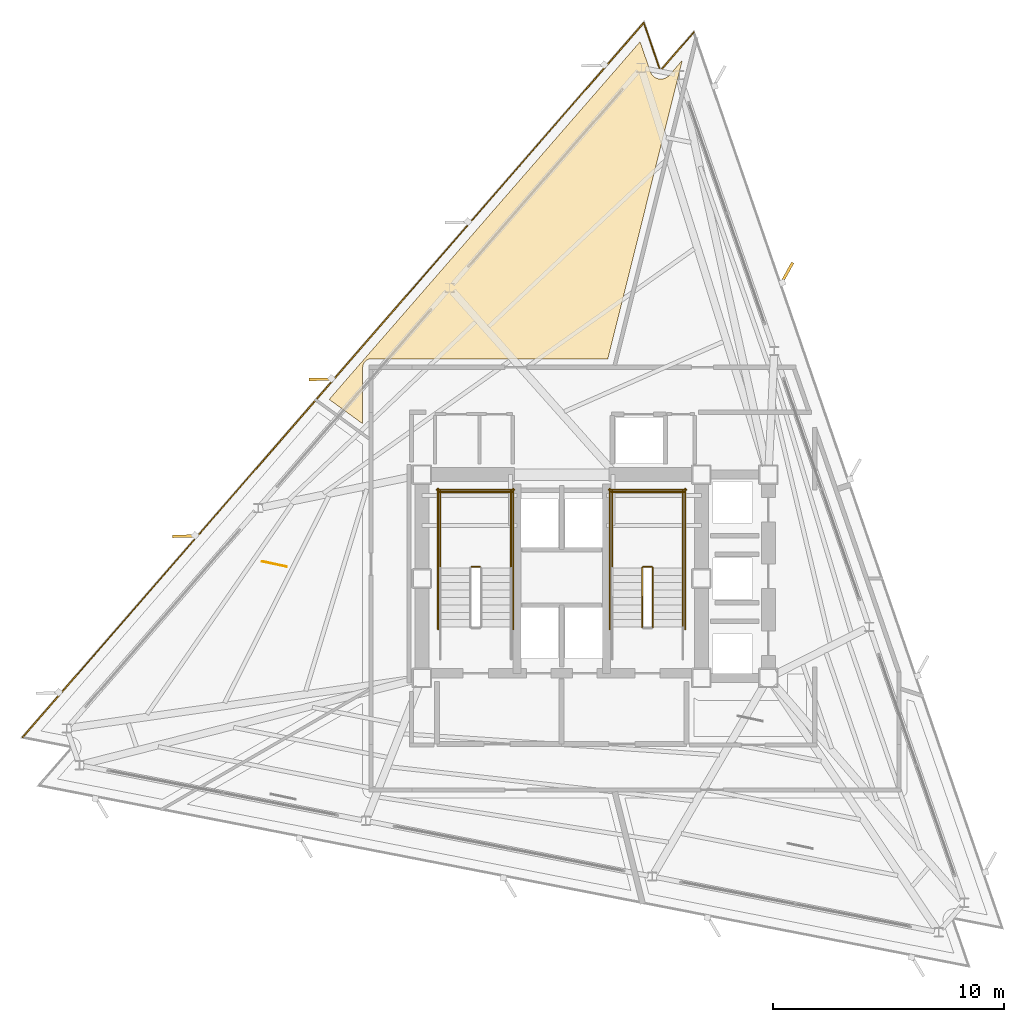
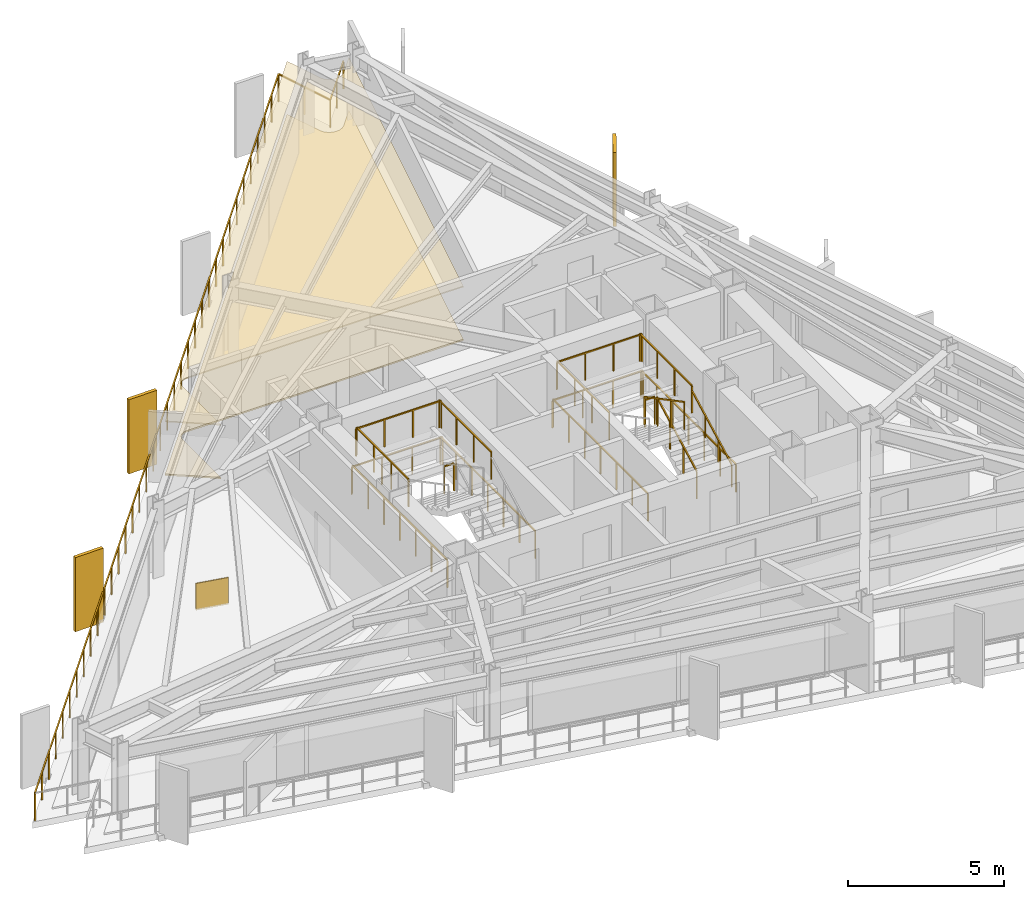
# One storey, part 12 of 13: 18 railings, 3 coverings, 3 shading devices.
"""IFC4 building model written with IfcOpenShell, lengths in metres."""

import ifcopenshell
import ifcopenshell.guid

model = None  # the IFC model being written
_history = None  # IfcOwnerHistory: only IFC2X3 demands one
_inside = {}  # id of a spatial element -> (the spatial element, [elements in it])
_under = {}  # id of a project, library or spatial element -> (it, [spatial elements below it])
_declared = {}  # id of a project -> (the project, [libraries it declares])
_typed = {}  # id of a type object -> (the type object, [elements of that type])
_made_of = {}  # id of a material, layer set ... -> (it, [elements and type objects made of it])


def new_model(schema):
    """Start an empty IFC model of exactly this schema.

    Asked for "IFC4X3", IfcOpenShell would pick the latest addendum, in which some entities
    have other attributes; the version numbers below select the first issue.
    IFC2X3 requires an IfcOwnerHistory on every rooted entity: one is made here for all.
    """
    global model, _history
    if schema == "IFC4X3":
        model = ifcopenshell.file(schema_version=(4, 3, 0, 0))
    else:
        model = ifcopenshell.file(schema=schema)
    _inside.clear()
    _under.clear()
    _declared.clear()
    _typed.clear()
    _made_of.clear()
    _history = None
    if model.schema == "IFC2X3":
        org = make("IfcOrganization", Name="unknown")
        user = make(
            "IfcPersonAndOrganization",
            ThePerson=make("IfcPerson", FamilyName="unknown"),
            TheOrganization=org,
        )
        app = make(
            "IfcApplication",
            ApplicationDeveloper=org,
            Version="unknown",
            ApplicationFullName="unknown",
            ApplicationIdentifier="unknown",
        )
        _history = make(
            "IfcOwnerHistory",
            OwningUser=user,
            OwningApplication=app,
            ChangeAction="ADDED",
            CreationDate=0,
        )
    return model


def make(cls, **values):
    """One entity of the class cls with the attributes given. An attribute that is None is left unset."""
    return model.create_entity(
        cls, **{name: value for name, value in values.items() if value is not None}
    )


def rooted(cls, **values):
    """An entity with a GlobalId (a new one), such as an element, a storey or a relation."""
    return make(cls, GlobalId=ifcopenshell.guid.new(), OwnerHistory=_history, **values)


def si_unit(unit_type, name, prefix=None):
    """IfcSIUnit, for example si_unit("LENGTHUNIT", "METRE", prefix="MILLI")."""
    return make("IfcSIUnit", UnitType=unit_type, Prefix=prefix, Name=name)


def assignment(units):
    """IfcUnitAssignment: the units of a project."""
    return None if units is None else make("IfcUnitAssignment", Units=units)


def point(xyz):
    """IfcCartesianPoint."""
    return None if xyz is None else make("IfcCartesianPoint", Coordinates=xyz)


def direction(xyz):
    """IfcDirection."""
    return None if xyz is None else make("IfcDirection", DirectionRatios=xyz)


def frame(location, z_axis=None, x_axis=None):
    """IfcAxis2Placement3D, a coordinate frame: its origin and axes. An axis left out is left unset."""
    return make(
        "IfcAxis2Placement3D",
        Location=point(location),
        Axis=direction(z_axis),
        RefDirection=direction(x_axis),
    )


def frame_2d(location, x_axis=None):
    """IfcAxis2Placement2D, a coordinate frame in the plane: its origin and x axis."""
    return make(
        "IfcAxis2Placement2D", Location=point(location), RefDirection=direction(x_axis)
    )


def origin():
    """The frame at (0, 0, 0) with its axes left unset."""
    return frame((0.0, 0.0, 0.0))


def origin_2d():
    """The frame at (0, 0) in the plane with its x axis left unset."""
    return frame_2d((0.0, 0.0))


def place(relative_to, where):
    """IfcLocalPlacement: puts the frame where relative to a parent placement (None: the world)."""
    return make(
        "IfcLocalPlacement", PlacementRelTo=relative_to, RelativePlacement=where
    )


def context(
    kind, dimensions, precision=None, world=None, true_north=None, identifier=None
):
    """IfcGeometricRepresentationContext, for example the 3D "Model" context."""
    return make(
        "IfcGeometricRepresentationContext",
        ContextIdentifier=identifier,
        ContextType=kind,
        CoordinateSpaceDimension=dimensions,
        Precision=precision,
        WorldCoordinateSystem=world,
        TrueNorth=true_north,
    )


def subcontext(parent, identifier, kind, view, scale=None):
    """IfcGeometricRepresentationSubContext, for example "Body" below "Model"."""
    return make(
        "IfcGeometricRepresentationSubContext",
        ContextIdentifier=identifier,
        ContextType=kind,
        ParentContext=parent,
        TargetScale=scale,
        TargetView=view,
    )


def project(units=None, contexts=None):
    """IfcProject with its units and contexts."""
    return rooted(
        "IfcProject",
        Name="project",
        RepresentationContexts=contexts,
        UnitsInContext=assignment(units),
    )


def spatial(cls, under=None, at=None, **own):
    """A site, building, storey or space (cls), placed at a placement, below another one or the project."""
    s = rooted(cls, ObjectPlacement=at, **own)
    if under is not None:
        _under.setdefault(under.id(), (under, []))[1].append(s)
    return s


def polyline(points):
    """IfcPolyline through the points."""
    return make("IfcPolyline", Points=[point(p) for p in points])


def profile(cls, at=None, kind="AREA", **sizes):
    """A parametric profile (cls). Its sizes go by their IFC names, for example OverallWidth=200.0."""
    return make(cls, ProfileType=kind, Position=at, **sizes)


def rectangle(**sizes):
    """IfcRectangleProfileDef."""
    return profile("IfcRectangleProfileDef", **sizes)


def outline(outer, holes=None, kind="AREA"):
    """IfcArbitraryClosedProfileDef: a profile drawn as a closed curve; with holes, ...WithVoids."""
    if holes is None:
        return make("IfcArbitraryClosedProfileDef", ProfileType=kind, OuterCurve=outer)
    return make(
        "IfcArbitraryProfileDefWithVoids",
        ProfileType=kind,
        OuterCurve=outer,
        InnerCurves=holes,
    )


def extrude(swept, where, along, depth):
    """IfcExtrudedAreaSolid: the profile swept, set in the frame where, extruded along a direction by depth."""
    return make(
        "IfcExtrudedAreaSolid",
        SweptArea=swept,
        Position=where,
        ExtrudedDirection=direction(along),
        Depth=depth,
    )


def shape(context_of_items, identifier, shape_type, items):
    """IfcShapeRepresentation: the items that make up one representation, for example the "Body"."""
    return make(
        "IfcShapeRepresentation",
        ContextOfItems=context_of_items,
        RepresentationIdentifier=identifier,
        RepresentationType=shape_type,
        Items=items,
    )


def material(Name=None, Category=None):
    """IfcMaterial."""
    return make("IfcMaterial", Name=Name, Category=Category)


def layer(
    of_material, thickness, ventilated=None, Name=None, Category=None, Priority=None
):
    """IfcMaterialLayer: one layer of a wall or slab, of a material (None: an air gap)."""
    return make(
        "IfcMaterialLayer",
        Material=of_material,
        LayerThickness=thickness,
        IsVentilated=ventilated,
        Name=Name,
        Category=Category,
        Priority=Priority,
    )


def layer_set(layers, Name=None):
    """IfcMaterialLayerSet."""
    return make("IfcMaterialLayerSet", MaterialLayers=layers, LayerSetName=Name)


def made_of(thing, what):
    """Note that an element or type object is made of a material, layer set ...; save() writes the relation."""
    if what is not None:
        _made_of.setdefault(what.id(), (what, []))[1].append(thing)
    return thing


def type_object(cls, material=None, **own):
    """A type object (cls), such as IfcWallType, which elements share."""
    return made_of(rooted(cls, **own), material)


def element(
    cls,
    number,
    at=None,
    inside=None,
    cuts=None,
    type_object=None,
    material=None,
    context=None,
    identifier="Body",
    shape_type=None,
    held_by="IfcProductDefinitionShape",
    body=None,
    shapes=None,
    **own,
):
    """One element of the class cls, such as IfcWall. Its Tag is "e" and its number.

    at: its placement. inside: the storey or other place that contains it. cuts: it is an
    opening in that element (IfcRelVoidsElement). A single representation is given by context,
    identifier, shape_type and body (its items); several are given by shapes. held_by: the class
    of the entity that holds the representations. save() writes the other relations.
    """
    e = rooted(cls, Tag="e%d" % number, ObjectPlacement=at, **own)
    if body is not None:
        shapes = [shape(context, identifier, shape_type, body)]
    if shapes is not None:
        e.Representation = make(held_by, Representations=shapes)
    if inside is not None:
        _inside.setdefault(inside.id(), (inside, []))[1].append(e)
    if cuts is not None:
        rooted(
            "IfcRelVoidsElement", RelatingBuildingElement=cuts, RelatedOpeningElement=e
        )
    if type_object is not None:
        _typed.setdefault(type_object.id(), (type_object, []))[1].append(e)
    return made_of(e, material)


def aggregate(whole, parts):
    """IfcRelAggregates: a whole, such as a stair, and the parts it consists of."""
    return rooted("IfcRelAggregates", RelatingObject=whole, RelatedObjects=parts)


def save(model, path):
    """Write the relations noted so far, then the file.

    IfcRelAggregates (storeys below a building ...), IfcRelContainedInSpatialStructure (elements
    in a storey), IfcRelDefinesByType, IfcRelAssociatesMaterial and IfcRelDeclares: one each for
    every whole, place, type object, material and project.
    """
    for whole, parts in _under.values():
        aggregate(whole, parts)
    for where, things in _inside.values():
        rooted(
            "IfcRelContainedInSpatialStructure",
            RelatedElements=things,
            RelatingStructure=where,
        )
    for kind, things in _typed.values():
        rooted("IfcRelDefinesByType", RelatedObjects=things, RelatingType=kind)
    for what, things in _made_of.values():
        rooted("IfcRelAssociatesMaterial", RelatedObjects=things, RelatingMaterial=what)
    for by, libraries in _declared.values():
        rooted("IfcRelDeclares", RelatingContext=by, RelatedDefinitions=libraries)
    model.write(path)


model = new_model("IFC4")

# Units and contexts
model_context = context("Model", 3, precision=1e-05, world=origin(), true_north=direction((0.0, 1.0)))
body_context = subcontext(model_context, "Body", "Model", "MODEL_VIEW")
ifc_project = project(units=[si_unit("LENGTHUNIT", "METRE"), si_unit("AREAUNIT", "SQUARE_METRE"), si_unit("VOLUMEUNIT", "CUBIC_METRE"), si_unit("PLANEANGLEUNIT", "RADIAN"), si_unit("MASSUNIT", "GRAM", prefix="KILO")], contexts=[model_context])

# Site, building, storey
site_placement = place(None, origin())
site = spatial("IfcSite", under=ifc_project, at=site_placement, CompositionType="ELEMENT")
building_placement = place(site_placement, origin())
building = spatial("IfcBuilding", under=site, at=building_placement, Name="Rocaltana Carrier Exchange", CompositionType="ELEMENT")
storey_placement = place(building_placement, frame((0.0, 0.0, 153.280029296875)))
storey = spatial("IfcBuildingStorey", under=building, at=storey_placement, Name="L48", CompositionType="ELEMENT", Elevation=153.280029296875)

# Coverings
ifc_material_1 = material(Name="Calcium Sulphate & Aluminium Pedestal", Category="aluminium")
ifc_layer_1 = layer(ifc_material_1, 0.06005859375)
ifc_layer_set_1 = layer_set([ifc_layer_1], Name="Calcium Sulphate & Aluminium Pedestal")
covering_type_1 = type_object("IfcCoveringType", Name="Anti-Static Raised Exchange Access Floor 60", PredefinedType="FLOORING", material=ifc_layer_set_1)
covering_1_placement = place(storey_placement, origin())
element("IfcCovering", 1, at=covering_1_placement, inside=storey, type_object=covering_type_1, Name="L48 Network Operations Office Finish Floor", PredefinedType="FLOORING", context=body_context, shape_type="SweptSolid", body=[
    extrude(outline(polyline([(3.39697265625, 23.24072265625), (3.842529296875, 21.94677734375), (3.847412109375, 21.93359375), (3.85498046875, 21.9150390625), (3.866455078125, 21.889892578125), (3.875732421875, 21.8720703125), (3.889892578125, 21.847900390625), (3.90087890625, 21.831298828125), (3.917236328125, 21.808837890625), (3.9296875, 21.793212890625), (3.948486328125, 21.7724609375), (3.96240234375, 21.75830078125), (3.983154296875, 21.739501953125), (3.99853515625, 21.726806640625), (4.020751953125, 21.710205078125), (4.037353515625, 21.698974609375), (4.061279296875, 21.684814453125), (4.078857421875, 21.67529296875), (4.104248046875, 21.663330078125), (4.12255859375, 21.65576171875), (4.14892578125, 21.646484375), (4.16796875, 21.640625), (4.195068359375, 21.634033203125), (4.214599609375, 21.630126953125), (4.2421875, 21.626220703125), (4.26220703125, 21.62451171875), (4.2900390625, 21.623291015625), (4.31005859375, 21.623291015625), (4.337890625, 21.625), (4.357666015625, 21.627197265625), (4.38525390625, 21.63134765625), (4.40478515625, 21.635498046875), (4.431640625, 21.642578125), (4.45068359375, 21.648681640625), (4.476806640625, 21.658447265625), (4.4951171875, 21.666259765625), (4.520263671875, 21.6787109375), (4.53759765625, 21.688232421875), (4.561279296875, 21.702880859375), (4.577880859375, 21.71435546875), (4.599853515625, 21.731201171875), (4.614990234375, 21.744384765625), (4.635498046875, 21.763427734375), (4.649169921875, 21.77783203125), (4.65869140625, 21.7880859375), (5.223388671875, 22.4375), (2.0, 9.510009765625), (-8.25, 9.510009765625), (-8.263671875, 9.509765625), (-8.271484375, 9.50927734375), (-8.298828125, 9.506591796875), (-8.306640625, 9.50537109375), (-8.33349609375, 9.5), (-8.34130859375, 9.498291015625), (-8.36767578125, 9.490234375), (-8.375, 9.487548828125), (-8.400390625, 9.47705078125), (-8.407470703125, 9.4736328125), (-8.431640625, 9.460693359375), (-8.4384765625, 9.456787109375), (-8.461181640625, 9.44140625), (-8.467529296875, 9.436767578125), (-8.48876953125, 9.419189453125), (-8.49462890625, 9.4140625), (-8.513916015625, 9.39453125), (-8.519287109375, 9.388916015625), (-8.53662109375, 9.367431640625), (-8.54150390625, 9.361083984375), (-8.556640625, 9.33837890625), (-8.560791015625, 9.331787109375), (-8.57373046875, 9.307373046875), (-8.576904296875, 9.30029296875), (-8.58740234375, 9.27490234375), (-8.590087890625, 9.267578125), (-8.59814453125, 9.2412109375), (-8.60009765625, 9.233642578125), (-8.60546875, 9.206787109375), (-8.606689453125, 9.198974609375), (-8.609375, 9.171630859375), (-8.609619140625, 9.163818359375), (-8.610107421875, 9.14990234375), (-8.610107421875, 6.700439453125), (-10.0634765625, 7.75634765625), (3.39697265625, 23.24072265625)])), origin(), (0.0, 0.0, 1.0), 0.06005859375),
])
ifc_material_2 = material(Name="Mineral Fibre & Powder-Coated Aluminium", Category="aluminium")
ifc_layer_2 = layer(ifc_material_2, 0.044921875)
ifc_layer_set_2 = layer_set([ifc_layer_2], Name="Mineral Fibre & Powder-Coated Aluminium")
covering_type_2 = type_object("IfcCoveringType", Name="Micro-Perforated Acoustic Ceiling 45", PredefinedType="CEILING", material=ifc_layer_set_2)
covering_2_placement = place(storey_placement, frame((0.0, 0.0, 2.093017578125)))
element("IfcCovering", 2, at=covering_2_placement, inside=storey, type_object=covering_type_2, Name="L48 Network Operations Office Acoustic Ceiling", PredefinedType="CEILING", context=body_context, shape_type="SweptSolid", body=[
    extrude(outline(polyline([(3.39697265625, 23.24072265625), (3.842529296875, 21.94677734375), (3.847412109375, 21.93359375), (3.85498046875, 21.9150390625), (3.866455078125, 21.889892578125), (3.875732421875, 21.8720703125), (3.889892578125, 21.847900390625), (3.90087890625, 21.831298828125), (3.917236328125, 21.808837890625), (3.9296875, 21.793212890625), (3.948486328125, 21.7724609375), (3.96240234375, 21.75830078125), (3.983154296875, 21.739501953125), (3.99853515625, 21.726806640625), (4.020751953125, 21.710205078125), (4.037353515625, 21.698974609375), (4.061279296875, 21.684814453125), (4.078857421875, 21.67529296875), (4.104248046875, 21.663330078125), (4.12255859375, 21.65576171875), (4.14892578125, 21.646484375), (4.16796875, 21.640625), (4.195068359375, 21.634033203125), (4.214599609375, 21.630126953125), (4.2421875, 21.626220703125), (4.26220703125, 21.62451171875), (4.2900390625, 21.623291015625), (4.31005859375, 21.623291015625), (4.337890625, 21.625), (4.357666015625, 21.627197265625), (4.38525390625, 21.63134765625), (4.40478515625, 21.635498046875), (4.431640625, 21.642578125), (4.45068359375, 21.648681640625), (4.476806640625, 21.658447265625), (4.4951171875, 21.666259765625), (4.520263671875, 21.6787109375), (4.53759765625, 21.688232421875), (4.561279296875, 21.702880859375), (4.577880859375, 21.71435546875), (4.599853515625, 21.731201171875), (4.614990234375, 21.744384765625), (4.635498046875, 21.763427734375), (4.649169921875, 21.77783203125), (4.65869140625, 21.7880859375), (5.223388671875, 22.4375), (2.0, 9.510009765625), (-8.25, 9.510009765625), (-8.263671875, 9.509765625), (-8.271484375, 9.50927734375), (-8.298828125, 9.506591796875), (-8.306640625, 9.50537109375), (-8.33349609375, 9.5), (-8.34130859375, 9.498291015625), (-8.36767578125, 9.490234375), (-8.375, 9.487548828125), (-8.400390625, 9.47705078125), (-8.407470703125, 9.4736328125), (-8.431640625, 9.460693359375), (-8.4384765625, 9.456787109375), (-8.461181640625, 9.44140625), (-8.467529296875, 9.436767578125), (-8.48876953125, 9.419189453125), (-8.49462890625, 9.4140625), (-8.513916015625, 9.39453125), (-8.519287109375, 9.388916015625), (-8.53662109375, 9.367431640625), (-8.54150390625, 9.361083984375), (-8.556640625, 9.33837890625), (-8.560791015625, 9.331787109375), (-8.57373046875, 9.307373046875), (-8.576904296875, 9.30029296875), (-8.58740234375, 9.27490234375), (-8.590087890625, 9.267578125), (-8.59814453125, 9.2412109375), (-8.60009765625, 9.233642578125), (-8.60546875, 9.206787109375), (-8.606689453125, 9.198974609375), (-8.609375, 9.171630859375), (-8.609619140625, 9.163818359375), (-8.610107421875, 9.14990234375), (-8.610107421875, 6.700439453125), (-10.0634765625, 7.75634765625), (3.39697265625, 23.24072265625)])), origin(), (0.0, 0.0, 1.0), 0.044921875),
])

# Railings
ifc_material_3 = material(Name="Brushed Architectural Stainless Tube", Category="steel")
ifc_layer_3 = layer(ifc_material_3, 0.048095703125)
ifc_layer_set_3 = layer_set([ifc_layer_3], Name="Brushed Architectural Stainless Tube")
railing_type_1 = type_object("IfcRailingType", Name="Stair Wall Handrail 920", PredefinedType="HANDRAIL", material=ifc_layer_set_3)
railing_1_placement = place(storey_placement, frame((5.25, -2.10009765625, 0.1689453125)))
element("IfcRailing", 3, at=railing_1_placement, inside=storey, type_object=railing_type_1, Name="L48 ST-2 stair handrail 1", PredefinedType="HANDRAIL", context=body_context, shape_type="SweptSolid", body=[
    extrude(rectangle(XDim=0.048095703125, YDim=0.048095703125, at=origin_2d()), frame((0.0, 0.0, 0.8759765625), z_axis=(0.0, 0.884394423565, 0.466740295633), x_axis=(-1.0, 0.0, 0.0)), (0.0, 0.0, 1.0), 2.894775390625),
    extrude(rectangle(XDim=0.0419921875, YDim=0.0419921875, at=origin_2d()), origin(), (0.0, 0.0, 1.0), 0.851806640625),
    extrude(rectangle(XDim=0.0419921875, YDim=0.0419921875, at=origin_2d()), frame((0.0, 0.853271484375, 0.450439453125)), (0.0, 0.0, 1.0), 0.851806640625),
    extrude(rectangle(XDim=0.0419921875, YDim=0.0419921875, at=origin_2d()), frame((0.0, 1.706787109375, 0.900634765625)), (0.0, 0.0, 1.0), 0.851806640625),
    extrude(rectangle(XDim=0.0419921875, YDim=0.0419921875, at=origin_2d()), frame((0.0, 2.56005859375, 1.35107421875)), (0.0, 0.0, 1.0), 0.851806640625),
])
ifc_material_4 = material(Name="Powder-Coated Aluminium 6063-T6", Category="aluminium")
ifc_layer_4 = layer(ifc_material_4, 0.048095703125)
ifc_layer_set_4 = layer_set([ifc_layer_4], Name="Powder-Coated Aluminium 6063-T6")
railing_type_2 = type_object("IfcRailingType", Name="Stair Well Guardrail 1100", PredefinedType="GUARDRAIL", material=ifc_layer_set_4)
railing_2_placement = place(storey_placement, frame((-3.5400390625, 0.510009765625, 1.52001953125)))
element("IfcRailing", 4, at=railing_2_placement, inside=storey, type_object=railing_type_2, Name="L48 ST-1 stair guard 2", PredefinedType="GUARDRAIL", context=body_context, shape_type="SweptSolid", body=[
    extrude(rectangle(XDim=0.048095703125, YDim=0.048095703125, at=origin_2d()), frame((0.0, 0.0, 1.076171875), z_axis=(-1.0, 0.0, 0.0), x_axis=(0.0, -1.0, 0.0)), (0.0, 0.0, 1.0), 0.35986328125),
    extrude(rectangle(XDim=0.0419921875, YDim=0.0419921875, at=origin_2d()), origin(), (0.0, 0.0, 1.0), 1.052001953125),
    extrude(rectangle(XDim=0.0419921875, YDim=0.0419921875, at=origin_2d()), frame((-0.35986328125, 0.0, 0.0)), (0.0, 0.0, 1.0), 1.052001953125),
])
for number, where, name in (
    (5, (-2.18994140625, 0.4599609375, 1.52001953125), "L48 ST-1 stair guard 3"),
    (6, (-5.25, 0.4599609375, 1.52001953125), "L48 ST-1 stair guard 4"),
):
    element("IfcRailing", number, at=place(storey_placement, frame(where)), inside=storey, type_object=railing_type_2, Name=name, PredefinedType="GUARDRAIL", context=body_context, shape_type="SweptSolid", body=[
        extrude(rectangle(XDim=0.048095703125, YDim=0.048095703125, at=origin_2d()), frame((0.0, 0.0, 1.076171875), z_axis=(0.0, 1.0, 0.0), x_axis=(-1.0, 0.0, 0.0)), (0.0, 0.0, 1.0), 3.340087890625),
        extrude(rectangle(XDim=0.0419921875, YDim=0.0419921875, at=origin_2d()), origin(), (0.0, 0.0, 1.0), 1.052001953125),
        extrude(rectangle(XDim=0.0419921875, YDim=0.0419921875, at=origin_2d()), frame((0.0, 1.11328125, 0.0)), (0.0, 0.0, 1.0), 1.052001953125),
        extrude(rectangle(XDim=0.0419921875, YDim=0.0419921875, at=origin_2d()), frame((0.0, 2.226806640625, 0.0)), (0.0, 0.0, 1.0), 1.052001953125),
        extrude(rectangle(XDim=0.0419921875, YDim=0.0419921875, at=origin_2d()), frame((0.0, 3.340087890625, 0.0)), (0.0, 0.0, 1.0), 1.052001953125),
    ])
railing_3_placement = place(storey_placement, frame((-2.139892578125, 3.75, 1.52001953125)))
element("IfcRailing", 7, at=railing_3_placement, inside=storey, type_object=railing_type_2, Name="L48 ST-1 stair guard 5", PredefinedType="GUARDRAIL", context=body_context, shape_type="SweptSolid", body=[
    extrude(rectangle(XDim=0.048095703125, YDim=0.048095703125, at=origin_2d()), frame((0.0, 0.0, 1.076171875), z_axis=(-1.0, 0.0, 0.0), x_axis=(0.0, -1.0, 0.0)), (0.0, 0.0, 1.0), 3.16015625),
    extrude(rectangle(XDim=0.0419921875, YDim=0.0419921875, at=origin_2d()), origin(), (0.0, 0.0, 1.0), 1.052001953125),
    extrude(rectangle(XDim=0.0419921875, YDim=0.0419921875, at=origin_2d()), frame((-1.053466796875, 0.0, 0.0)), (0.0, 0.0, 1.0), 1.052001953125),
    extrude(rectangle(XDim=0.0419921875, YDim=0.0419921875, at=origin_2d()), frame((-2.106689453125, 0.0, 0.0)), (0.0, 0.0, 1.0), 1.052001953125),
    extrude(rectangle(XDim=0.0419921875, YDim=0.0419921875, at=origin_2d()), frame((-3.16015625, 0.0, 0.0)), (0.0, 0.0, 1.0), 1.052001953125),
])
for number, where, name in (
    (8, (-2.090087890625, -2.199951171875, 0.0), "L48 ST-1 stair guard 10"),
    (9, (-5.35009765625, -2.199951171875, 0.0), "L48 ST-1 stair guard 11"),
):
    element("IfcRailing", number, at=place(storey_placement, frame(where)), inside=storey, type_object=railing_type_2, Name=name, PredefinedType="GUARDRAIL", context=body_context, shape_type="SweptSolid", body=[
        extrude(rectangle(XDim=0.048095703125, YDim=0.048095703125, at=origin_2d()), frame((0.0, 0.0, 1.076171875), z_axis=(0.0, 1.0, 0.0), x_axis=(-1.0, 0.0, 0.0)), (0.0, 0.0, 1.0), 6.099853515625),
        extrude(rectangle(XDim=0.0419921875, YDim=0.0419921875, at=origin_2d()), origin(), (0.0, 0.0, 1.0), 1.052001953125),
        extrude(rectangle(XDim=0.0419921875, YDim=0.0419921875, at=origin_2d()), frame((0.0, 1.0166015625, 0.0)), (0.0, 0.0, 1.0), 1.052001953125),
        extrude(rectangle(XDim=0.0419921875, YDim=0.0419921875, at=origin_2d()), frame((0.0, 2.033203125, 0.0)), (0.0, 0.0, 1.0), 1.052001953125),
        extrude(rectangle(XDim=0.0419921875, YDim=0.0419921875, at=origin_2d()), frame((0.0, 3.0498046875, 0.0)), (0.0, 0.0, 1.0), 1.052001953125),
        extrude(rectangle(XDim=0.0419921875, YDim=0.0419921875, at=origin_2d()), frame((0.0, 4.066650390625, 0.0)), (0.0, 0.0, 1.0), 1.052001953125),
        extrude(rectangle(XDim=0.0419921875, YDim=0.0419921875, at=origin_2d()), frame((0.0, 5.083251953125, 0.0)), (0.0, 0.0, 1.0), 1.052001953125),
        extrude(rectangle(XDim=0.0419921875, YDim=0.0419921875, at=origin_2d()), frame((0.0, 6.099853515625, 0.0)), (0.0, 0.0, 1.0), 1.052001953125),
    ])
railing_4_placement = place(storey_placement, frame((-2.0400390625, 3.85009765625, 0.0)))
element("IfcRailing", 10, at=railing_4_placement, inside=storey, type_object=railing_type_2, Name="L48 ST-1 stair guard 12", PredefinedType="GUARDRAIL", context=body_context, shape_type="SweptSolid", body=[
    extrude(rectangle(XDim=0.048095703125, YDim=0.048095703125, at=origin_2d()), frame((0.0, 0.0, 1.076171875), z_axis=(-1.0, 0.0, 0.0), x_axis=(0.0, -1.0, 0.0)), (0.0, 0.0, 1.0), 3.35986328125),
    extrude(rectangle(XDim=0.0419921875, YDim=0.0419921875, at=origin_2d()), origin(), (0.0, 0.0, 1.0), 1.052001953125),
    extrude(rectangle(XDim=0.0419921875, YDim=0.0419921875, at=origin_2d()), frame((-1.119873046875, 0.0, 0.0)), (0.0, 0.0, 1.0), 1.052001953125),
    extrude(rectangle(XDim=0.0419921875, YDim=0.0419921875, at=origin_2d()), frame((-2.239990234375, 0.0, 0.0)), (0.0, 0.0, 1.0), 1.052001953125),
    extrude(rectangle(XDim=0.0419921875, YDim=0.0419921875, at=origin_2d()), frame((-3.35986328125, 0.0, 0.0)), (0.0, 0.0, 1.0), 1.052001953125),
])
railing_5_placement = place(storey_placement, frame((3.949951171875, -2.10009765625, 0.1689453125)))
element("IfcRailing", 11, at=railing_5_placement, inside=storey, type_object=railing_type_2, Name="L48 ST-2 stair guard 1", PredefinedType="GUARDRAIL", context=body_context, shape_type="SweptSolid", body=[
    extrude(rectangle(XDim=0.048095703125, YDim=0.048095703125, at=origin_2d()), frame((0.0, 0.0, 1.076171875), z_axis=(0.0, 0.884394423565, 0.466740295633), x_axis=(-1.0, 0.0, 0.0)), (0.0, 0.0, 1.0), 2.894775390625),
    extrude(rectangle(XDim=0.0419921875, YDim=0.0419921875, at=origin_2d()), origin(), (0.0, 0.0, 1.0), 1.052001953125),
    extrude(rectangle(XDim=0.0419921875, YDim=0.0419921875, at=origin_2d()), frame((0.0, 0.853271484375, 0.450439453125)), (0.0, 0.0, 1.0), 1.052001953125),
    extrude(rectangle(XDim=0.0419921875, YDim=0.0419921875, at=origin_2d()), frame((0.0, 1.706787109375, 0.900634765625)), (0.0, 0.0, 1.0), 1.052001953125),
    extrude(rectangle(XDim=0.0419921875, YDim=0.0419921875, at=origin_2d()), frame((0.0, 2.56005859375, 1.35107421875)), (0.0, 0.0, 1.0), 1.052001953125),
])
railing_6_placement = place(storey_placement, frame((3.89990234375, 0.510009765625, 1.52001953125)))
element("IfcRailing", 12, at=railing_6_placement, inside=storey, type_object=railing_type_2, Name="L48 ST-2 stair guard 2", PredefinedType="GUARDRAIL", context=body_context, shape_type="SweptSolid", body=[
    extrude(rectangle(XDim=0.048095703125, YDim=0.048095703125, at=origin_2d()), frame((0.0, 0.0, 1.076171875), z_axis=(-1.0, 0.0, 0.0), x_axis=(0.0, -1.0, 0.0)), (0.0, 0.0, 1.0), 0.35986328125),
    extrude(rectangle(XDim=0.0419921875, YDim=0.0419921875, at=origin_2d()), origin(), (0.0, 0.0, 1.0), 1.052001953125),
    extrude(rectangle(XDim=0.0419921875, YDim=0.0419921875, at=origin_2d()), frame((-0.35986328125, 0.0, 0.0)), (0.0, 0.0, 1.0), 1.052001953125),
])
for number, where, name in (
    (13, (5.25, 0.4599609375, 1.52001953125), "L48 ST-2 stair guard 3"),
    (14, (2.18994140625, 0.4599609375, 1.52001953125), "L48 ST-2 stair guard 4"),
):
    element("IfcRailing", number, at=place(storey_placement, frame(where)), inside=storey, type_object=railing_type_2, Name=name, PredefinedType="GUARDRAIL", context=body_context, shape_type="SweptSolid", body=[
        extrude(rectangle(XDim=0.048095703125, YDim=0.048095703125, at=origin_2d()), frame((0.0, 0.0, 1.076171875), z_axis=(0.0, 1.0, 0.0), x_axis=(-1.0, 0.0, 0.0)), (0.0, 0.0, 1.0), 3.340087890625),
        extrude(rectangle(XDim=0.0419921875, YDim=0.0419921875, at=origin_2d()), origin(), (0.0, 0.0, 1.0), 1.052001953125),
        extrude(rectangle(XDim=0.0419921875, YDim=0.0419921875, at=origin_2d()), frame((0.0, 1.11328125, 0.0)), (0.0, 0.0, 1.0), 1.052001953125),
        extrude(rectangle(XDim=0.0419921875, YDim=0.0419921875, at=origin_2d()), frame((0.0, 2.226806640625, 0.0)), (0.0, 0.0, 1.0), 1.052001953125),
        extrude(rectangle(XDim=0.0419921875, YDim=0.0419921875, at=origin_2d()), frame((0.0, 3.340087890625, 0.0)), (0.0, 0.0, 1.0), 1.052001953125),
    ])
railing_7_placement = place(storey_placement, frame((5.300048828125, 3.75, 1.52001953125)))
element("IfcRailing", 15, at=railing_7_placement, inside=storey, type_object=railing_type_2, Name="L48 ST-2 stair guard 5", PredefinedType="GUARDRAIL", context=body_context, shape_type="SweptSolid", body=[
    extrude(rectangle(XDim=0.048095703125, YDim=0.048095703125, at=origin_2d()), frame((0.0, 0.0, 1.076171875), z_axis=(-1.0, 0.0, 0.0), x_axis=(0.0, -1.0, 0.0)), (0.0, 0.0, 1.0), 3.16015625),
    extrude(rectangle(XDim=0.0419921875, YDim=0.0419921875, at=origin_2d()), origin(), (0.0, 0.0, 1.0), 1.052001953125),
    extrude(rectangle(XDim=0.0419921875, YDim=0.0419921875, at=origin_2d()), frame((-1.053466796875, 0.0, 0.0)), (0.0, 0.0, 1.0), 1.052001953125),
    extrude(rectangle(XDim=0.0419921875, YDim=0.0419921875, at=origin_2d()), frame((-2.106689453125, 0.0, 0.0)), (0.0, 0.0, 1.0), 1.052001953125),
    extrude(rectangle(XDim=0.0419921875, YDim=0.0419921875, at=origin_2d()), frame((-3.16015625, 0.0, 0.0)), (0.0, 0.0, 1.0), 1.052001953125),
])
railing_8_placement = place(storey_placement, frame((3.489990234375, 0.4599609375, 1.68896484375)))
element("IfcRailing", 16, at=railing_8_placement, inside=storey, type_object=railing_type_2, Name="L48 ST-2 stair guard 6", PredefinedType="GUARDRAIL", context=body_context, shape_type="SweptSolid", body=[
    extrude(rectangle(XDim=0.048095703125, YDim=0.048095703125, at=origin_2d()), frame((0.0, 0.0, 1.076171875), z_axis=(0.0, -0.884394423565, 0.466740295633), x_axis=(1.0, 0.0, 0.0)), (0.0, 0.0, 1.0), 2.894775390625),
    extrude(rectangle(XDim=0.0419921875, YDim=0.0419921875, at=origin_2d()), origin(), (0.0, 0.0, 1.0), 1.052001953125),
    extrude(rectangle(XDim=0.0419921875, YDim=0.0419921875, at=origin_2d()), frame((0.0, -0.853271484375, 0.450439453125)), (0.0, 0.0, 1.0), 1.052001953125),
    extrude(rectangle(XDim=0.0419921875, YDim=0.0419921875, at=origin_2d()), frame((0.0, -1.706787109375, 0.900634765625)), (0.0, 0.0, 1.0), 1.052001953125),
    extrude(rectangle(XDim=0.0419921875, YDim=0.0419921875, at=origin_2d()), frame((0.0, -2.56005859375, 1.35107421875)), (0.0, 0.0, 1.0), 1.052001953125),
])
for number, where, name in (
    (17, (5.35009765625, -2.199951171875, 0.0), "L48 ST-2 stair guard 10"),
    (18, (2.090087890625, -2.199951171875, 0.0), "L48 ST-2 stair guard 11"),
):
    element("IfcRailing", number, at=place(storey_placement, frame(where)), inside=storey, type_object=railing_type_2, Name=name, PredefinedType="GUARDRAIL", context=body_context, shape_type="SweptSolid", body=[
        extrude(rectangle(XDim=0.048095703125, YDim=0.048095703125, at=origin_2d()), frame((0.0, 0.0, 1.076171875), z_axis=(0.0, 1.0, 0.0), x_axis=(-1.0, 0.0, 0.0)), (0.0, 0.0, 1.0), 6.099853515625),
        extrude(rectangle(XDim=0.0419921875, YDim=0.0419921875, at=origin_2d()), origin(), (0.0, 0.0, 1.0), 1.052001953125),
        extrude(rectangle(XDim=0.0419921875, YDim=0.0419921875, at=origin_2d()), frame((0.0, 1.0166015625, 0.0)), (0.0, 0.0, 1.0), 1.052001953125),
        extrude(rectangle(XDim=0.0419921875, YDim=0.0419921875, at=origin_2d()), frame((0.0, 2.033203125, 0.0)), (0.0, 0.0, 1.0), 1.052001953125),
        extrude(rectangle(XDim=0.0419921875, YDim=0.0419921875, at=origin_2d()), frame((0.0, 3.0498046875, 0.0)), (0.0, 0.0, 1.0), 1.052001953125),
        extrude(rectangle(XDim=0.0419921875, YDim=0.0419921875, at=origin_2d()), frame((0.0, 4.066650390625, 0.0)), (0.0, 0.0, 1.0), 1.052001953125),
        extrude(rectangle(XDim=0.0419921875, YDim=0.0419921875, at=origin_2d()), frame((0.0, 5.083251953125, 0.0)), (0.0, 0.0, 1.0), 1.052001953125),
        extrude(rectangle(XDim=0.0419921875, YDim=0.0419921875, at=origin_2d()), frame((0.0, 6.099853515625, 0.0)), (0.0, 0.0, 1.0), 1.052001953125),
    ])
railing_9_placement = place(storey_placement, frame((5.39990234375, 3.85009765625, 0.0)))
element("IfcRailing", 19, at=railing_9_placement, inside=storey, type_object=railing_type_2, Name="L48 ST-2 stair guard 12", PredefinedType="GUARDRAIL", context=body_context, shape_type="SweptSolid", body=[
    extrude(rectangle(XDim=0.048095703125, YDim=0.048095703125, at=origin_2d()), frame((0.0, 0.0, 1.076171875), z_axis=(-1.0, 0.0, 0.0), x_axis=(0.0, -1.0, 0.0)), (0.0, 0.0, 1.0), 3.35986328125),
    extrude(rectangle(XDim=0.0419921875, YDim=0.0419921875, at=origin_2d()), origin(), (0.0, 0.0, 1.0), 1.052001953125),
    extrude(rectangle(XDim=0.0419921875, YDim=0.0419921875, at=origin_2d()), frame((-1.119873046875, 0.0, 0.0)), (0.0, 0.0, 1.0), 1.052001953125),
    extrude(rectangle(XDim=0.0419921875, YDim=0.0419921875, at=origin_2d()), frame((-2.239990234375, 0.0, 0.0)), (0.0, 0.0, 1.0), 1.052001953125),
    extrude(rectangle(XDim=0.0419921875, YDim=0.0419921875, at=origin_2d()), frame((-3.35986328125, 0.0, 0.0)), (0.0, 0.0, 1.0), 1.052001953125),
])

# Covering
ifc_material_5 = material(Name="Honed Piedra Muneca Sandstone", Category="masonry")
ifc_layer_5 = layer(ifc_material_5, 0.034912109375)
ifc_layer_set_5 = layer_set([ifc_layer_5], Name="Honed Piedra Muneca Sandstone")
covering_type_3 = type_object("IfcCoveringType", Name="Stone Facade Cladding 35", PredefinedType="CLADDING", material=ifc_layer_set_5)
covering_3_placement = place(storey_placement, frame((-12.435302734375, 0.627685546875, 0.0), z_axis=(0.0, 0.0, 1.0), x_axis=(-0.978147600734, 0.207911690818, 0.0)))
element("IfcCovering", 20, at=covering_3_placement, inside=storey, type_object=covering_type_3, Name="L48 Stone Facade Cladding Panel 1", PredefinedType="CLADDING", context=body_context, shape_type="SweptSolid", body=[
    extrude(rectangle(XDim=1.10009765625, YDim=0.034912109375, at=origin_2d()), origin(), (0.0, 0.0, 1.0), 1.050048828125),
])

# Shading devices
ifc_material_6 = material(Name="Honed Bogota Sandstone & Concrete C45/55", Category="masonry")
ifc_layer_6 = layer(ifc_material_6, 0.1201171875)
ifc_layer_set_6 = layer_set([ifc_layer_6], Name="Honed Bogota Sandstone & Concrete C45/55")
shading_device_type = type_object("IfcShadingDeviceType", Name="Upper Sandstone Shading Fin 1050x120", PredefinedType="USERDEFINED", material=ifc_layer_set_6)
for number, where, z_axis, x_axis, name in (
    (21, (9.75146484375, 13.219482421875, -0.1201171875), (0.0, 0.0, 1.0), (0.484809620246, 0.874619707139, 0.0), "L48 Sandstone Vertical Fin F1-04"),
    (22, (-10.419677734375, 8.627685546875, -0.1201171875), (0.0, 0.0, 1.0), (-0.999847695156, -0.017452406437, 0.0), "L48 Sandstone Vertical Fin F2-03"),
    (23, (-16.32421875, 1.835205078125, -0.1201171875), (0.0, 0.0, 1.0), (-0.999847695156, -0.017452406437, 0.0), "L48 Sandstone Vertical Fin F2-04"),
):
    element("IfcShadingDevice", number, at=place(storey_placement, frame(where, z_axis=z_axis, x_axis=x_axis)), inside=storey, type_object=shading_device_type, Name=name, ObjectType="FIN", PredefinedType="USERDEFINED", context=body_context, shape_type="SweptSolid", body=[
        extrude(rectangle(XDim=1.050048828125, YDim=0.1201171875, at=origin_2d()), origin(), (0.0, 0.0, 1.0), 2.907958984375),
    ])

# Railing
ifc_material_7 = material(Name="Powder-Coated Aluminium 6063-T6", Category="aluminium")
ifc_layer_7 = layer(ifc_material_7, 0.06005859375)
ifc_layer_set_7 = layer_set([ifc_layer_7], Name="Powder-Coated Aluminium 6063-T6")
railing_type_3 = type_object("IfcRailingType", Name="Wind-Floor & Terrace Perimeter Guardrail 1100", PredefinedType="GUARDRAIL", material=ifc_layer_set_7)
railing_10_placement = place(storey_placement, frame((-23.3359375, -6.871826171875, 0.0)))
element("IfcRailing", 24, at=railing_10_placement, inside=storey, type_object=railing_type_3, Name="L48 Perimeter Balcony Guardrail 2", PredefinedType="GUARDRAIL", context=body_context, shape_type="SweptSolid", body=[
    extrude(rectangle(XDim=0.048095703125, YDim=0.048095703125, at=origin_2d()), frame((0.0, 0.0, 1.076171875), z_axis=(0.656058089841, 0.754710396612, 0.0), x_axis=(-0.754710396612, 0.656058089841, 0.0)), (0.0, 0.0, 1.0), 40.991943359375),
    extrude(rectangle(XDim=0.048095703125, YDim=0.048095703125, at=origin_2d()), frame((26.89306640625, 30.93701171875, 1.076171875), z_axis=(0.325600768791, -0.945507344955, 0.0), x_axis=(0.945507344955, 0.325600768791, 0.0)), (0.0, 0.0, 1.0), 2.199951171875),
    extrude(rectangle(XDim=0.048095703125, YDim=0.048095703125, at=origin_2d()), frame((27.609375, 28.85693359375, 1.076171875), z_axis=(0.656057821484, 0.75471062989, 0.0), x_axis=(-0.75471062989, 0.656057821484, 0.0)), (0.0, 0.0, 1.0), 2.199951171875),
    extrude(rectangle(XDim=0.0419921875, YDim=0.0419921875, at=origin_2d()), origin(), (0.0, 0.0, 1.0), 1.052001953125),
    extrude(rectangle(XDim=0.0419921875, YDim=0.0419921875, at=origin_2d()), frame((0.768310546875, 0.884033203125, 0.0)), (0.0, 0.0, 1.0), 1.052001953125),
    extrude(rectangle(XDim=0.0419921875, YDim=0.0419921875, at=origin_2d()), frame((1.536865234375, 1.767822265625, 0.0)), (0.0, 0.0, 1.0), 1.052001953125),
    extrude(rectangle(XDim=0.0419921875, YDim=0.0419921875, at=origin_2d()), frame((2.30517578125, 2.65185546875, 0.0)), (0.0, 0.0, 1.0), 1.052001953125),
    extrude(rectangle(XDim=0.0419921875, YDim=0.0419921875, at=origin_2d()), frame((3.073486328125, 3.53564453125, 0.0)), (0.0, 0.0, 1.0), 1.052001953125),
    extrude(rectangle(XDim=0.0419921875, YDim=0.0419921875, at=origin_2d()), frame((3.841796875, 4.419677734375, 0.0)), (0.0, 0.0, 1.0), 1.052001953125),
    extrude(rectangle(XDim=0.0419921875, YDim=0.0419921875, at=origin_2d()), frame((4.6103515625, 5.303466796875, 0.0)), (0.0, 0.0, 1.0), 1.052001953125),
    extrude(rectangle(XDim=0.0419921875, YDim=0.0419921875, at=origin_2d()), frame((5.378662109375, 6.1875, 0.0)), (0.0, 0.0, 1.0), 1.052001953125),
    extrude(rectangle(XDim=0.0419921875, YDim=0.0419921875, at=origin_2d()), frame((6.14697265625, 7.0712890625, 0.0)), (0.0, 0.0, 1.0), 1.052001953125),
    extrude(rectangle(XDim=0.0419921875, YDim=0.0419921875, at=origin_2d()), frame((6.915283203125, 7.955322265625, 0.0)), (0.0, 0.0, 1.0), 1.052001953125),
    extrude(rectangle(XDim=0.0419921875, YDim=0.0419921875, at=origin_2d()), frame((7.683837890625, 8.839111328125, 0.0)), (0.0, 0.0, 1.0), 1.052001953125),
    extrude(rectangle(XDim=0.0419921875, YDim=0.0419921875, at=origin_2d()), frame((8.4521484375, 9.72314453125, 0.0)), (0.0, 0.0, 1.0), 1.052001953125),
    extrude(rectangle(XDim=0.0419921875, YDim=0.0419921875, at=origin_2d()), frame((9.220458984375, 10.60693359375, 0.0)), (0.0, 0.0, 1.0), 1.052001953125),
    extrude(rectangle(XDim=0.0419921875, YDim=0.0419921875, at=origin_2d()), frame((9.98876953125, 11.490966796875, 0.0)), (0.0, 0.0, 1.0), 1.052001953125),
    extrude(rectangle(XDim=0.0419921875, YDim=0.0419921875, at=origin_2d()), frame((10.75732421875, 12.374755859375, 0.0)), (0.0, 0.0, 1.0), 1.052001953125),
    extrude(rectangle(XDim=0.0419921875, YDim=0.0419921875, at=origin_2d()), frame((11.525634765625, 13.2587890625, 0.0)), (0.0, 0.0, 1.0), 1.052001953125),
    extrude(rectangle(XDim=0.0419921875, YDim=0.0419921875, at=origin_2d()), frame((12.2939453125, 14.142578125, 0.0)), (0.0, 0.0, 1.0), 1.052001953125),
    extrude(rectangle(XDim=0.0419921875, YDim=0.0419921875, at=origin_2d()), frame((13.062255859375, 15.026611328125, 0.0)), (0.0, 0.0, 1.0), 1.052001953125),
    extrude(rectangle(XDim=0.0419921875, YDim=0.0419921875, at=origin_2d()), frame((13.830810546875, 15.910400390625, 0.0)), (0.0, 0.0, 1.0), 1.052001953125),
    extrude(rectangle(XDim=0.0419921875, YDim=0.0419921875, at=origin_2d()), frame((14.59912109375, 16.79443359375, 0.0)), (0.0, 0.0, 1.0), 1.052001953125),
    extrude(rectangle(XDim=0.0419921875, YDim=0.0419921875, at=origin_2d()), frame((15.367431640625, 17.67822265625, 0.0)), (0.0, 0.0, 1.0), 1.052001953125),
    extrude(rectangle(XDim=0.0419921875, YDim=0.0419921875, at=origin_2d()), frame((16.1357421875, 18.562255859375, 0.0)), (0.0, 0.0, 1.0), 1.052001953125),
    extrude(rectangle(XDim=0.0419921875, YDim=0.0419921875, at=origin_2d()), frame((16.904296875, 19.446044921875, 0.0)), (0.0, 0.0, 1.0), 1.052001953125),
    extrude(rectangle(XDim=0.0419921875, YDim=0.0419921875, at=origin_2d()), frame((17.672607421875, 20.330078125, 0.0)), (0.0, 0.0, 1.0), 1.052001953125),
    extrude(rectangle(XDim=0.0419921875, YDim=0.0419921875, at=origin_2d()), frame((18.44091796875, 21.2138671875, 0.0)), (0.0, 0.0, 1.0), 1.052001953125),
    extrude(rectangle(XDim=0.0419921875, YDim=0.0419921875, at=origin_2d()), frame((19.209228515625, 22.097900390625, 0.0)), (0.0, 0.0, 1.0), 1.052001953125),
    extrude(rectangle(XDim=0.0419921875, YDim=0.0419921875, at=origin_2d()), frame((19.977783203125, 22.981689453125, 0.0)), (0.0, 0.0, 1.0), 1.052001953125),
    extrude(rectangle(XDim=0.0419921875, YDim=0.0419921875, at=origin_2d()), frame((20.74609375, 23.86572265625, 0.0)), (0.0, 0.0, 1.0), 1.052001953125),
    extrude(rectangle(XDim=0.0419921875, YDim=0.0419921875, at=origin_2d()), frame((21.514404296875, 24.74951171875, 0.0)), (0.0, 0.0, 1.0), 1.052001953125),
    extrude(rectangle(XDim=0.0419921875, YDim=0.0419921875, at=origin_2d()), frame((22.28271484375, 25.633544921875, 0.0)), (0.0, 0.0, 1.0), 1.052001953125),
    extrude(rectangle(XDim=0.0419921875, YDim=0.0419921875, at=origin_2d()), frame((23.05126953125, 26.517333984375, 0.0)), (0.0, 0.0, 1.0), 1.052001953125),
    extrude(rectangle(XDim=0.0419921875, YDim=0.0419921875, at=origin_2d()), frame((23.819580078125, 27.4013671875, 0.0)), (0.0, 0.0, 1.0), 1.052001953125),
    extrude(rectangle(XDim=0.0419921875, YDim=0.0419921875, at=origin_2d()), frame((24.587890625, 28.28515625, 0.0)), (0.0, 0.0, 1.0), 1.052001953125),
    extrude(rectangle(XDim=0.0419921875, YDim=0.0419921875, at=origin_2d()), frame((25.356201171875, 29.169189453125, 0.0)), (0.0, 0.0, 1.0), 1.052001953125),
    extrude(rectangle(XDim=0.0419921875, YDim=0.0419921875, at=origin_2d()), frame((26.124755859375, 30.052978515625, 0.0)), (0.0, 0.0, 1.0), 1.052001953125),
    extrude(rectangle(XDim=0.0419921875, YDim=0.0419921875, at=origin_2d()), frame((26.89306640625, 30.93701171875, 0.0)), (0.0, 0.0, 1.0), 1.052001953125),
    extrude(rectangle(XDim=0.0419921875, YDim=0.0419921875, at=origin_2d()), frame((27.251220703125, 29.89697265625, 0.0)), (0.0, 0.0, 1.0), 1.052001953125),
    extrude(rectangle(XDim=0.0419921875, YDim=0.0419921875, at=origin_2d()), frame((27.609375, 28.85693359375, 0.0)), (0.0, 0.0, 1.0), 1.052001953125),
    extrude(rectangle(XDim=0.0419921875, YDim=0.0419921875, at=origin_2d()), frame((28.3310546875, 29.68701171875, 0.0)), (0.0, 0.0, 1.0), 1.052001953125),
    extrude(rectangle(XDim=0.0419921875, YDim=0.0419921875, at=origin_2d()), frame((29.052734375, 30.517333984375, 0.0)), (0.0, 0.0, 1.0), 1.052001953125),
])

save(model, "model.ifc")
